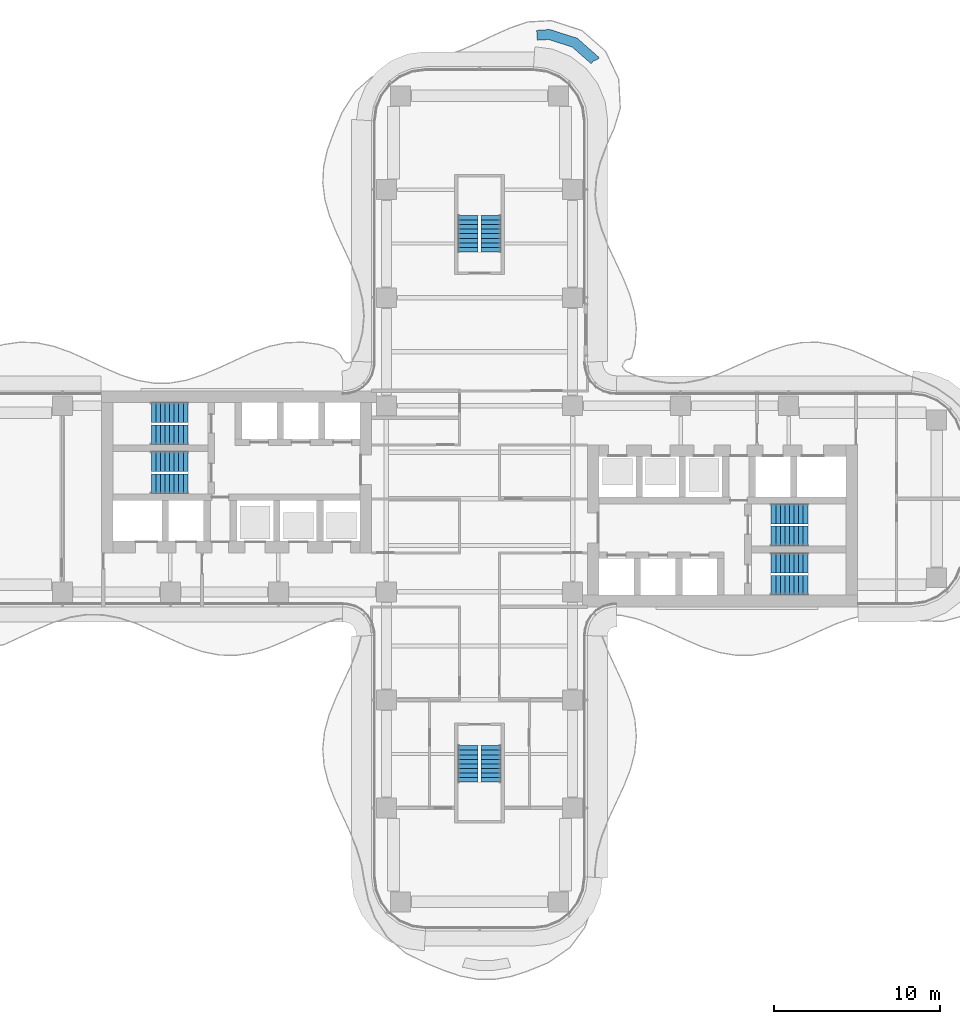
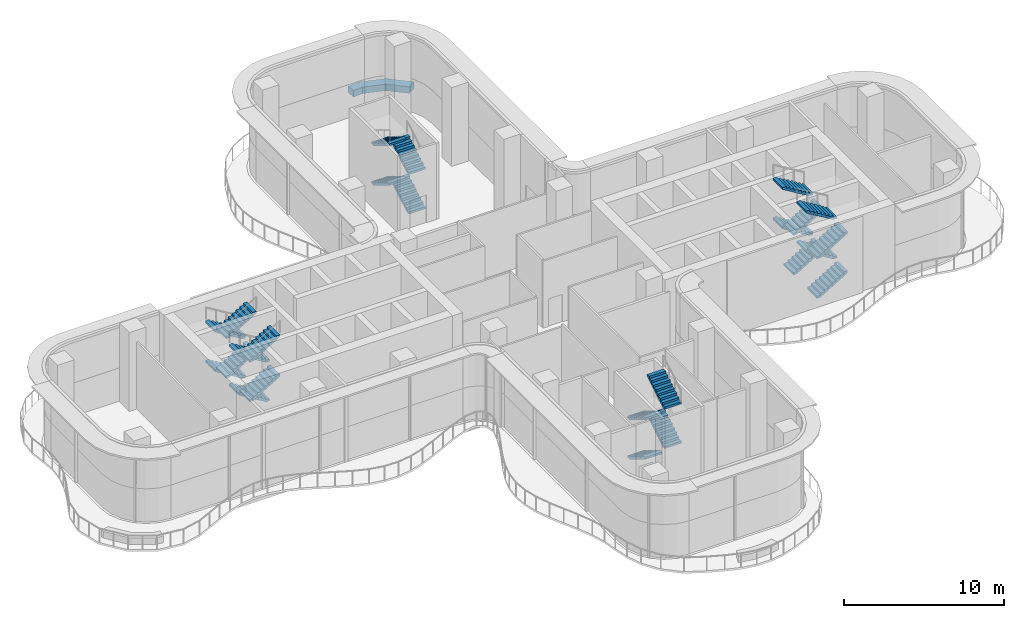
# One storey, part 15 of 19: 24 stair flights, 1 wall, 6 elements without a shape of their own.
"""IFC4 building model written with IfcOpenShell, lengths in metres."""

from ifc_helpers import new_model, si_unit, direction, frame, origin, place, context, subcontext, project, spatial, polyline, outline, extrude, source, transform, mapped, material, layer, layer_set, type_object, element, aggregate, save


model = new_model("IFC4")

# Units and contexts
model_context = context("Model", 3, precision=1e-05, world=origin(), true_north=direction((0.0, 1.0)))
body_context = subcontext(model_context, "Body", "Model", "MODEL_VIEW")
ifc_project = project(units=[si_unit("LENGTHUNIT", "METRE"), si_unit("AREAUNIT", "SQUARE_METRE"), si_unit("VOLUMEUNIT", "CUBIC_METRE"), si_unit("PLANEANGLEUNIT", "RADIAN"), si_unit("MASSUNIT", "GRAM", prefix="KILO")], contexts=[model_context])

# Site, building, storey
site_placement = place(None, origin())
site = spatial("IfcSite", under=ifc_project, at=site_placement, CompositionType="ELEMENT")
building_placement = place(site_placement, origin())
building = spatial("IfcBuilding", under=site, at=building_placement, Name="Trellis Farm Tower", CompositionType="ELEMENT")
storey_placement = place(building_placement, frame((0.0, 0.0, 156.0)))
storey = spatial("IfcBuildingStorey", under=building, at=storey_placement, Name="L33", CompositionType="ELEMENT", Elevation=156.0)

# Wall
ifc_material_1 = material(Name="Sandstone faced masonry planter", Category="masonry")
ifc_layer = layer(ifc_material_1, 0.60009765625)
ifc_layer_set = layer_set([ifc_layer], Name="PLANTER BED 600")
wall_type = type_object("IfcWallType", Name="PLANTER BED 600", PredefinedType="USERDEFINED", material=ifc_layer_set)
placement = place(storey_placement, origin())
element("IfcWall", 1, at=placement, inside=storey, type_object=wall_type, Name="PLANTER bed", ObjectType="PLANTER", PredefinedType="USERDEFINED", context=body_context, shape_type="SweptSolid", body=[
    extrude(outline(polyline([(4.2373046875, 28.23876953125), (5.87890625, 27.714599609375), (7.156005859375, 26.591796875), (7.20068359375, 26.496826171875), (6.801025390625, 26.309814453125), (6.81201171875, 26.295166015625), (6.712890625, 26.1826171875), (5.576904296875, 27.18115234375), (4.162353515625, 27.6328125), (3.47509765625, 27.58984375), (3.4375, 28.188720703125), (4.2373046875, 28.23876953125)])), origin(), (0.0, 0.0, 1.0), 0.5),
])

# Stair, stair flights
ifc_material_2 = material(Name="Concrete C50/60", Category="concrete")
stair_type = type_object("IfcStairType", Name="CORE EXIT STAIR 36 RISERS 167 MM", PredefinedType="HALF_TURN_STAIR", material=ifc_material_2)
stair_1 = element("IfcStair", 2, at=placement, inside=storey, type_object=stair_type, Name="Exit stair N", PredefinedType="HALF_TURN_STAIR")
stair_flight_type = type_object("IfcStairFlightType", Name="STAIR FLIGHT 9 RISERS 167 MM", PredefinedType="STRAIGHT", material=ifc_material_2)
shared_shape = source(origin(), body_context, "Body", "SweptSolid", [
    extrude(outline(polyline([(0.0, 0.0), (0.0, 0.166748046875), (0.27490234375, 0.166748046875), (0.27490234375, 0.333251953125), (0.550048828125, 0.333251953125), (0.550048828125, 0.5), (0.824951171875, 0.5), (0.824951171875, 0.666748046875), (1.10009765625, 0.666748046875), (1.10009765625, 0.833251953125), (1.375, 0.833251953125), (1.375, 1.0), (1.64990234375, 1.0), (1.64990234375, 1.166748046875), (1.925048828125, 1.166748046875), (1.925048828125, 1.333251953125), (2.199951171875, 1.333251953125), (2.199951171875, 1.5), (2.199951171875, 1.181396484375), (0.25048828125, 0.0), (0.0, 0.0)])), frame((0.0, 0.60009765625, 0.0), z_axis=(0.0, -1.0, 0.0), x_axis=(1.0, 0.0, 0.0)), (0.0, 0.0, 1.0), 1.199951171875),
])
stair_flight_1_placement = place(storey_placement, frame((0.699951171875, 14.85009765625, 0.0), z_axis=(0.0, 0.0, 1.0), x_axis=(0.0, 1.0, 0.0)))
stair_flight_1 = element("IfcStairFlight", 3, at=stair_flight_1_placement, type_object=stair_flight_type, Name="STN flight 1", NumberOfRisers=9, NumberOfTreads=8, PredefinedType="STRAIGHT", RiserHeight=0.166666667, TreadLength=0.275, context=body_context, shape_type="MappedRepresentation", body=[
    mapped(shared_shape, transform((0.0, 0.0, 0.0))),
])
stair_flight_2_placement = place(storey_placement, frame((-0.699951171875, 17.050048828125, 1.5), z_axis=(0.0, 0.0, 1.0), x_axis=(0.0, -1.0, 0.0)))
stair_flight_2 = element("IfcStairFlight", 4, at=stair_flight_2_placement, type_object=stair_flight_type, Name="STN flight 2", NumberOfRisers=9, NumberOfTreads=8, PredefinedType="STRAIGHT", RiserHeight=0.166666667, TreadLength=0.275, context=body_context, shape_type="MappedRepresentation", body=[
    mapped(shared_shape, transform((0.0, 0.0, 0.0))),
])
stair_flight_3_placement = place(storey_placement, frame((0.699951171875, 14.85009765625, 3.0), z_axis=(0.0, 0.0, 1.0), x_axis=(0.0, 1.0, 0.0)))
stair_flight_3 = element("IfcStairFlight", 5, at=stair_flight_3_placement, type_object=stair_flight_type, Name="STN flight 3", NumberOfRisers=9, NumberOfTreads=8, PredefinedType="STRAIGHT", RiserHeight=0.166666667, TreadLength=0.275, context=body_context, shape_type="MappedRepresentation", body=[
    mapped(shared_shape, transform((0.0, 0.0, 0.0))),
])
stair_flight_4_placement = place(storey_placement, frame((-0.699951171875, 17.050048828125, 4.5), z_axis=(0.0, 0.0, 1.0), x_axis=(0.0, -1.0, 0.0)))
stair_flight_4 = element("IfcStairFlight", 6, at=stair_flight_4_placement, type_object=stair_flight_type, Name="STN flight 4", NumberOfRisers=9, NumberOfTreads=8, PredefinedType="STRAIGHT", RiserHeight=0.166666667, TreadLength=0.275, context=body_context, shape_type="MappedRepresentation", body=[
    mapped(shared_shape, transform((0.0, 0.0, 0.0))),
])
aggregate(stair_1, [stair_flight_1, stair_flight_2, stair_flight_3, stair_flight_4])

stair_2 = element("IfcStair", 7, at=placement, inside=storey, type_object=stair_type, Name="Exit stair S", PredefinedType="HALF_TURN_STAIR")
stair_flight_5_placement = place(storey_placement, frame((-0.699951171875, -14.85009765625, 0.0), z_axis=(0.0, 0.0, 1.0), x_axis=(0.0, -1.0, 0.0)))
stair_flight_5 = element("IfcStairFlight", 8, at=stair_flight_5_placement, type_object=stair_flight_type, Name="STS flight 1", NumberOfRisers=9, NumberOfTreads=8, PredefinedType="STRAIGHT", RiserHeight=0.166666667, TreadLength=0.275, context=body_context, shape_type="MappedRepresentation", body=[
    mapped(shared_shape, transform((0.0, 0.0, 0.0))),
])
stair_flight_6_placement = place(storey_placement, frame((0.699951171875, -17.050048828125, 1.5), z_axis=(0.0, 0.0, 1.0), x_axis=(0.0, 1.0, 0.0)))
stair_flight_6 = element("IfcStairFlight", 9, at=stair_flight_6_placement, type_object=stair_flight_type, Name="STS flight 2", NumberOfRisers=9, NumberOfTreads=8, PredefinedType="STRAIGHT", RiserHeight=0.166666667, TreadLength=0.275, context=body_context, shape_type="MappedRepresentation", body=[
    mapped(shared_shape, transform((0.0, 0.0, 0.0))),
])
stair_flight_7_placement = place(storey_placement, frame((-0.699951171875, -14.85009765625, 3.0), z_axis=(0.0, 0.0, 1.0), x_axis=(0.0, -1.0, 0.0)))
stair_flight_7 = element("IfcStairFlight", 10, at=stair_flight_7_placement, type_object=stair_flight_type, Name="STS flight 3", NumberOfRisers=9, NumberOfTreads=8, PredefinedType="STRAIGHT", RiserHeight=0.166666667, TreadLength=0.275, context=body_context, shape_type="MappedRepresentation", body=[
    mapped(shared_shape, transform((0.0, 0.0, 0.0))),
])
stair_flight_8_placement = place(storey_placement, frame((0.699951171875, -17.050048828125, 4.5), z_axis=(0.0, 0.0, 1.0), x_axis=(0.0, 1.0, 0.0)))
stair_flight_8 = element("IfcStairFlight", 11, at=stair_flight_8_placement, type_object=stair_flight_type, Name="STS flight 4", NumberOfRisers=9, NumberOfTreads=8, PredefinedType="STRAIGHT", RiserHeight=0.166666667, TreadLength=0.275, context=body_context, shape_type="MappedRepresentation", body=[
    mapped(shared_shape, transform((0.0, 0.0, 0.0))),
])
aggregate(stair_2, [stair_flight_5, stair_flight_6, stair_flight_7, stair_flight_8])

stair_3 = element("IfcStair", 12, at=placement, inside=storey, type_object=stair_type, Name="Exit stair E1", PredefinedType="HALF_TURN_STAIR")
stair_flight_9_placement = place(storey_placement, frame((17.550048828125, -5.199951171875, 0.0), z_axis=(0.0, 0.0, 1.0), x_axis=(1.0, 0.0, 0.0)))
stair_flight_9 = element("IfcStairFlight", 13, at=stair_flight_9_placement, type_object=stair_flight_type, Name="STE1 flight 1", NumberOfRisers=9, NumberOfTreads=8, PredefinedType="STRAIGHT", RiserHeight=0.166666667, TreadLength=0.275, context=body_context, shape_type="MappedRepresentation", body=[
    mapped(shared_shape, transform((0.0, 0.0, 0.0))),
])
stair_flight_10_placement = place(storey_placement, frame((19.75, -3.85009765625, 1.5), z_axis=(0.0, 0.0, 1.0), x_axis=(-1.0, 0.0, 0.0)))
stair_flight_10 = element("IfcStairFlight", 14, at=stair_flight_10_placement, type_object=stair_flight_type, Name="STE1 flight 2", NumberOfRisers=9, NumberOfTreads=8, PredefinedType="STRAIGHT", RiserHeight=0.166666667, TreadLength=0.275, context=body_context, shape_type="MappedRepresentation", body=[
    mapped(shared_shape, transform((0.0, 0.0, 0.0))),
])
stair_flight_11_placement = place(storey_placement, frame((17.550048828125, -5.199951171875, 3.0), z_axis=(0.0, 0.0, 1.0), x_axis=(1.0, 0.0, 0.0)))
stair_flight_11 = element("IfcStairFlight", 15, at=stair_flight_11_placement, type_object=stair_flight_type, Name="STE1 flight 3", NumberOfRisers=9, NumberOfTreads=8, PredefinedType="STRAIGHT", RiserHeight=0.166666667, TreadLength=0.275, context=body_context, shape_type="MappedRepresentation", body=[
    mapped(shared_shape, transform((0.0, 0.0, 0.0))),
])
stair_flight_12_placement = place(storey_placement, frame((19.75, -3.85009765625, 4.5), z_axis=(0.0, 0.0, 1.0), x_axis=(-1.0, 0.0, 0.0)))
stair_flight_12 = element("IfcStairFlight", 16, at=stair_flight_12_placement, type_object=stair_flight_type, Name="STE1 flight 4", NumberOfRisers=9, NumberOfTreads=8, PredefinedType="STRAIGHT", RiserHeight=0.166666667, TreadLength=0.275, context=body_context, shape_type="MappedRepresentation", body=[
    mapped(shared_shape, transform((0.0, 0.0, 0.0))),
])
aggregate(stair_3, [stair_flight_9, stair_flight_10, stair_flight_11, stair_flight_12])

stair_4 = element("IfcStair", 17, at=placement, inside=storey, type_object=stair_type, Name="Exit stair E2", PredefinedType="HALF_TURN_STAIR")
stair_flight_13_placement = place(storey_placement, frame((17.550048828125, -2.25, 0.0), z_axis=(0.0, 0.0, 1.0), x_axis=(1.0, 0.0, 0.0)))
stair_flight_13 = element("IfcStairFlight", 18, at=stair_flight_13_placement, type_object=stair_flight_type, Name="STE2 flight 1", NumberOfRisers=9, NumberOfTreads=8, PredefinedType="STRAIGHT", RiserHeight=0.166666667, TreadLength=0.275, context=body_context, shape_type="MappedRepresentation", body=[
    mapped(shared_shape, transform((0.0, 0.0, 0.0))),
])
stair_flight_14_placement = place(storey_placement, frame((19.75, -0.89990234375, 1.5), z_axis=(0.0, 0.0, 1.0), x_axis=(-1.0, 0.0, 0.0)))
stair_flight_14 = element("IfcStairFlight", 19, at=stair_flight_14_placement, type_object=stair_flight_type, Name="STE2 flight 2", NumberOfRisers=9, NumberOfTreads=8, PredefinedType="STRAIGHT", RiserHeight=0.166666667, TreadLength=0.275, context=body_context, shape_type="MappedRepresentation", body=[
    mapped(shared_shape, transform((0.0, 0.0, 0.0))),
])
stair_flight_15_placement = place(storey_placement, frame((17.550048828125, -2.25, 3.0), z_axis=(0.0, 0.0, 1.0), x_axis=(1.0, 0.0, 0.0)))
stair_flight_15 = element("IfcStairFlight", 20, at=stair_flight_15_placement, type_object=stair_flight_type, Name="STE2 flight 3", NumberOfRisers=9, NumberOfTreads=8, PredefinedType="STRAIGHT", RiserHeight=0.166666667, TreadLength=0.275, context=body_context, shape_type="MappedRepresentation", body=[
    mapped(shared_shape, transform((0.0, 0.0, 0.0))),
])
stair_flight_16_placement = place(storey_placement, frame((19.75, -0.89990234375, 4.5), z_axis=(0.0, 0.0, 1.0), x_axis=(-1.0, 0.0, 0.0)))
stair_flight_16 = element("IfcStairFlight", 21, at=stair_flight_16_placement, type_object=stair_flight_type, Name="STE2 flight 4", NumberOfRisers=9, NumberOfTreads=8, PredefinedType="STRAIGHT", RiserHeight=0.166666667, TreadLength=0.275, context=body_context, shape_type="MappedRepresentation", body=[
    mapped(shared_shape, transform((0.0, 0.0, 0.0))),
])
aggregate(stair_4, [stair_flight_13, stair_flight_14, stair_flight_15, stair_flight_16])

stair_5 = element("IfcStair", 22, at=placement, inside=storey, type_object=stair_type, Name="Exit stair W1", PredefinedType="HALF_TURN_STAIR")
stair_flight_17_placement = place(storey_placement, frame((-17.550048828125, 5.199951171875, 0.0), z_axis=(0.0, 0.0, 1.0), x_axis=(-1.0, 0.0, 0.0)))
stair_flight_17 = element("IfcStairFlight", 23, at=stair_flight_17_placement, type_object=stair_flight_type, Name="STW1 flight 1", NumberOfRisers=9, NumberOfTreads=8, PredefinedType="STRAIGHT", RiserHeight=0.166666667, TreadLength=0.275, context=body_context, shape_type="MappedRepresentation", body=[
    mapped(shared_shape, transform((0.0, 0.0, 0.0))),
])
stair_flight_18_placement = place(storey_placement, frame((-19.75, 3.85009765625, 1.5), z_axis=(0.0, 0.0, 1.0), x_axis=(1.0, 0.0, 0.0)))
stair_flight_18 = element("IfcStairFlight", 24, at=stair_flight_18_placement, type_object=stair_flight_type, Name="STW1 flight 2", NumberOfRisers=9, NumberOfTreads=8, PredefinedType="STRAIGHT", RiserHeight=0.166666667, TreadLength=0.275, context=body_context, shape_type="MappedRepresentation", body=[
    mapped(shared_shape, transform((0.0, 0.0, 0.0))),
])
stair_flight_19_placement = place(storey_placement, frame((-17.550048828125, 5.199951171875, 3.0), z_axis=(0.0, 0.0, 1.0), x_axis=(-1.0, 0.0, 0.0)))
stair_flight_19 = element("IfcStairFlight", 25, at=stair_flight_19_placement, type_object=stair_flight_type, Name="STW1 flight 3", NumberOfRisers=9, NumberOfTreads=8, PredefinedType="STRAIGHT", RiserHeight=0.166666667, TreadLength=0.275, context=body_context, shape_type="MappedRepresentation", body=[
    mapped(shared_shape, transform((0.0, 0.0, 0.0))),
])
stair_flight_20_placement = place(storey_placement, frame((-19.75, 3.85009765625, 4.5), z_axis=(0.0, 0.0, 1.0), x_axis=(1.0, 0.0, 0.0)))
stair_flight_20 = element("IfcStairFlight", 26, at=stair_flight_20_placement, type_object=stair_flight_type, Name="STW1 flight 4", NumberOfRisers=9, NumberOfTreads=8, PredefinedType="STRAIGHT", RiserHeight=0.166666667, TreadLength=0.275, context=body_context, shape_type="MappedRepresentation", body=[
    mapped(shared_shape, transform((0.0, 0.0, 0.0))),
])
aggregate(stair_5, [stair_flight_17, stair_flight_18, stair_flight_19, stair_flight_20])

stair_6 = element("IfcStair", 27, at=placement, inside=storey, type_object=stair_type, Name="Exit stair W2", PredefinedType="HALF_TURN_STAIR")
stair_flight_21_placement = place(storey_placement, frame((-17.550048828125, 2.25, 0.0), z_axis=(0.0, 0.0, 1.0), x_axis=(-1.0, 0.0, 0.0)))
stair_flight_21 = element("IfcStairFlight", 28, at=stair_flight_21_placement, type_object=stair_flight_type, Name="STW2 flight 1", NumberOfRisers=9, NumberOfTreads=8, PredefinedType="STRAIGHT", RiserHeight=0.166666667, TreadLength=0.275, context=body_context, shape_type="MappedRepresentation", body=[
    mapped(shared_shape, transform((0.0, 0.0, 0.0))),
])
stair_flight_22_placement = place(storey_placement, frame((-19.75, 0.89990234375, 1.5), z_axis=(0.0, 0.0, 1.0), x_axis=(1.0, 0.0, 0.0)))
stair_flight_22 = element("IfcStairFlight", 29, at=stair_flight_22_placement, type_object=stair_flight_type, Name="STW2 flight 2", NumberOfRisers=9, NumberOfTreads=8, PredefinedType="STRAIGHT", RiserHeight=0.166666667, TreadLength=0.275, context=body_context, shape_type="MappedRepresentation", body=[
    mapped(shared_shape, transform((0.0, 0.0, 0.0))),
])
stair_flight_23_placement = place(storey_placement, frame((-17.550048828125, 2.25, 3.0), z_axis=(0.0, 0.0, 1.0), x_axis=(-1.0, 0.0, 0.0)))
stair_flight_23 = element("IfcStairFlight", 30, at=stair_flight_23_placement, type_object=stair_flight_type, Name="STW2 flight 3", NumberOfRisers=9, NumberOfTreads=8, PredefinedType="STRAIGHT", RiserHeight=0.166666667, TreadLength=0.275, context=body_context, shape_type="MappedRepresentation", body=[
    mapped(shared_shape, transform((0.0, 0.0, 0.0))),
])
stair_flight_24_placement = place(storey_placement, frame((-19.75, 0.89990234375, 4.5), z_axis=(0.0, 0.0, 1.0), x_axis=(1.0, 0.0, 0.0)))
stair_flight_24 = element("IfcStairFlight", 31, at=stair_flight_24_placement, type_object=stair_flight_type, Name="STW2 flight 4", NumberOfRisers=9, NumberOfTreads=8, PredefinedType="STRAIGHT", RiserHeight=0.166666667, TreadLength=0.275, context=body_context, shape_type="MappedRepresentation", body=[
    mapped(shared_shape, transform((0.0, 0.0, 0.0))),
])
aggregate(stair_6, [stair_flight_21, stair_flight_22, stair_flight_23, stair_flight_24])

save(model, "model.ifc")
